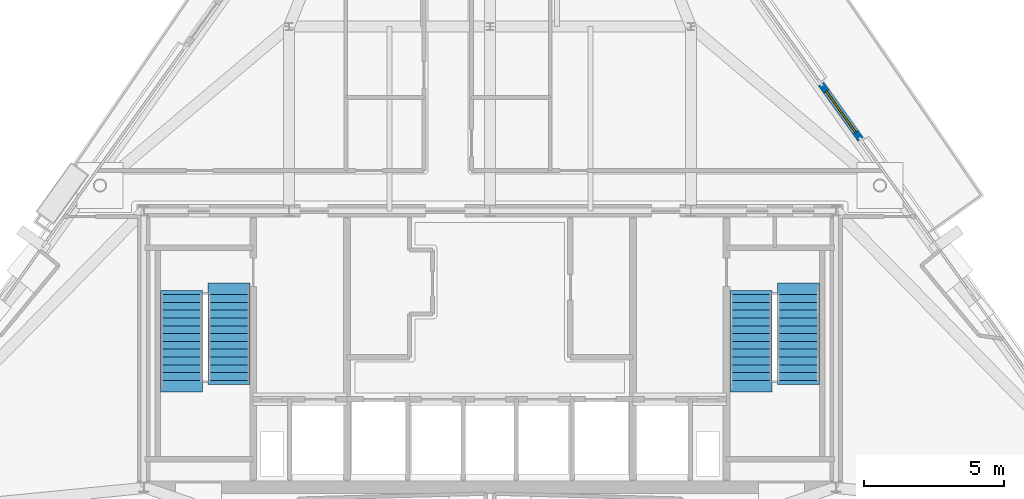
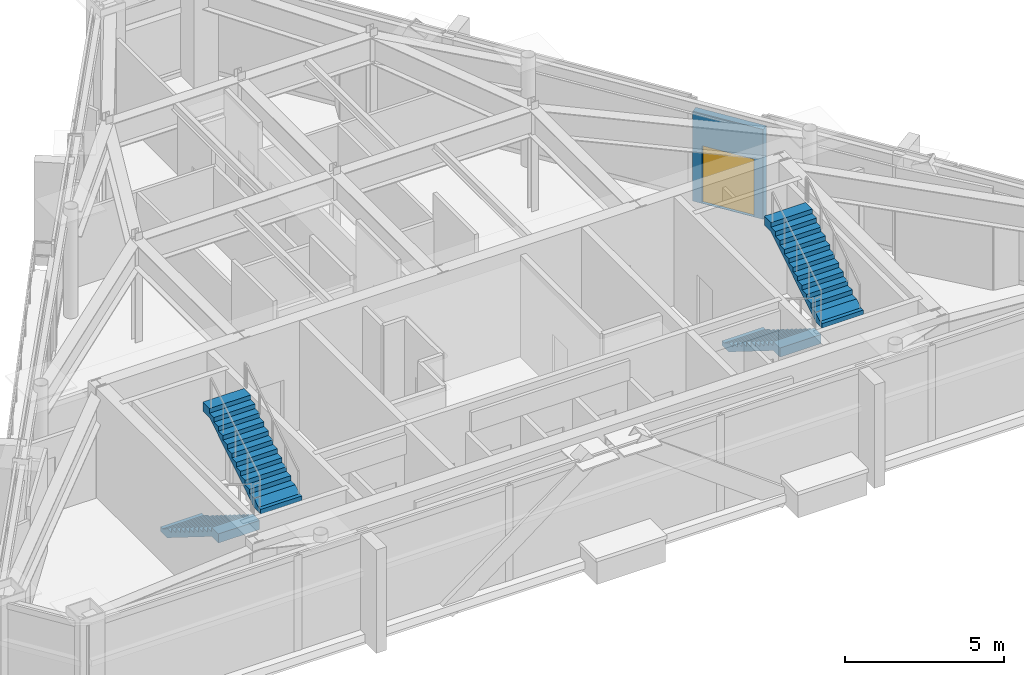
# One storey, part 8 of 10: 4 stair flights, 1 door, 1 wall, 1 opening, 2 elements without a shape of their own.
"""IFC4 building model written with IfcOpenShell, lengths in metres."""

from ifc_helpers import new_model, si_unit, direction, frame, frame_2d, origin, place, context, subcontext, project, spatial, polyline, rectangle, outline, extrude, material, layer, layer_set, type_object, element, fill, aggregate, save


model = new_model("IFC4")

# Units and contexts
model_context = context("Model", 3, precision=1e-05, world=origin(), true_north=direction((0.0, 1.0)))
body_context = subcontext(model_context, "Body", "Model", "MODEL_VIEW")
ifc_project = project(units=[si_unit("LENGTHUNIT", "METRE"), si_unit("AREAUNIT", "SQUARE_METRE"), si_unit("VOLUMEUNIT", "CUBIC_METRE"), si_unit("PLANEANGLEUNIT", "RADIAN"), si_unit("MASSUNIT", "GRAM", prefix="KILO")], contexts=[model_context])

# Site, building, storey
site_placement = place(None, origin())
site = spatial("IfcSite", under=ifc_project, at=site_placement, CompositionType="ELEMENT")
building_placement = place(site_placement, origin())
building = spatial("IfcBuilding", under=site, at=building_placement, Name="Talgorran Terracotta Tower", CompositionType="ELEMENT")
storey_placement = place(building_placement, frame((0.0, 0.0, 289.199951171875)))
storey = spatial("IfcBuildingStorey", under=building, at=storey_placement, Name="L76", CompositionType="ELEMENT", Elevation=289.199951171875)

# Wall, opening, door
ifc_material_1 = material(Name="Concrete C40/50", Category="concrete")
ifc_layer_1 = layer(ifc_material_1, 0.239990234375, Name="WT_BALCONY_SPAND")
ifc_layer_set_1 = layer_set([ifc_layer_1], Name="Concrete C40/50")
wall_type = type_object("IfcWallType", Name="WT_BALCONY_SPAND", PredefinedType="STANDARD", material=ifc_layer_set_1)
wall_placement = place(storey_placement, frame((13.28369140625, -1.641845703125, -0.014892578125), z_axis=(0.0, 0.0, 1.0), x_axis=(-0.581266589652, 0.813713187649, 0.0)))
wall = element("IfcWall", 1, at=wall_placement, inside=storey, type_object=wall_type, Name="WL-L76-BALP-BAL-NE", PredefinedType="STANDARD", context=body_context, shape_type="SweptSolid", body=[
    extrude(rectangle(XDim=2.43994140625, YDim=0.239990234375, at=frame_2d((1.219970703125, 0.0))), origin(), (0.0, 0.0, 1.0), 3.452880859375),
])
opening_placement = place(wall_placement, frame((0.320068359375, 0.0, 0.014892578125)))
opening = element("IfcOpeningElement", 2, at=opening_placement, cuts=wall, Name="Opening D-BAL-L76-1", PredefinedType="OPENING", context=body_context, shape_type="SweptSolid", body=[
    extrude(rectangle(XDim=1.806048828125, YDim=2.203951171875, at=frame_2d((0.89990234375, 1.10205078125))), frame((0.0, 0.1298828125, 0.0), z_axis=(0.0, -1.0, 0.0), x_axis=(1.0, 0.0, 0.0)), (0.0, 0.0, 1.0), 0.260009765625),
])
ifc_material_2 = material(Name="Thermally Broken Aluminium", Category="aluminium")
door_type = type_object("IfcDoorType", Name="DT_BALC_1800", OperationType="SLIDING_TO_LEFT", PredefinedType="DOOR", material=ifc_material_2)
door_placement = place(opening_placement, origin())
door = element("IfcDoor", 3, at=door_placement, inside=storey, type_object=door_type, Name="DR-L76-BAL-BAL-NE", OperationType="SLIDING_TO_LEFT", OverallHeight=2.199951171875, OverallWidth=1.800048828125, PredefinedType="DOOR", context=body_context, shape_type="SweptSolid", body=[
    extrude(rectangle(XDim=1.800048828125, YDim=2.199951171875, at=frame_2d((0.89990234375, 1.10009765625))), frame((0.0, 0.02490234375, 0.0), z_axis=(0.0, -1.0, 0.0), x_axis=(1.0, 0.0, 0.0)), (0.0, 0.0, 1.0), 0.050048828125),
])
fill(opening, door)

# Stair, stair flights
stair_type = type_object("IfcStairType", Name="ST_FIRE_SCISSOR", PredefinedType="HALF_TURN_STAIR", material=ifc_material_1)
stair_1_placement = place(storey_placement, origin())
stair_1 = element("IfcStair", 4, at=stair_1_placement, inside=storey, type_object=stair_type, Name="L76 West Protected Fire Stair ST-01", PredefinedType="HALF_TURN_STAIR")
ifc_layer_2 = layer(ifc_material_1, 0.179931640625, Name="STF_RC_1500")
ifc_layer_set_2 = layer_set([ifc_layer_2], Name="Concrete C40/50")
stair_flight_type = type_object("IfcStairFlightType", Name="STF_RC_1500", PredefinedType="STRAIGHT", material=ifc_layer_set_2)
stair_flight_1_placement = place(storey_placement, frame((-11.050048828125, -7.199951171875, 0.0), z_axis=(0.0, 0.0, 1.0), x_axis=(0.0, -1.0, 0.0)))
stair_flight_1 = element("IfcStairFlight", 5, at=stair_flight_1_placement, type_object=stair_flight_type, Name="ST-01 flight 1", NumberOfRisers=12, NumberOfTreads=11, PredefinedType="STRAIGHT", RiserHeight=0.175, TreadLength=0.28, context=body_context, shape_type="SweptSolid", body=[
    extrude(outline(polyline([(-0.139892578125, 0.0), (-0.139892578125, 0.175048828125), (0.0, 0.175048828125), (0.280029296875, 0.35009765625), (0.56005859375, 0.35009765625), (0.56005859375, 0.52490234375), (0.840087890625, 0.52490234375), (0.840087890625, 0.699951171875), (1.1201171875, 0.699951171875), (1.1201171875, 0.875), (1.39990234375, 0.875), (1.39990234375, 1.050048828125), (1.679931640625, 1.050048828125), (1.679931640625, 1.22509765625), (1.9599609375, 1.22509765625), (1.9599609375, 1.39990234375), (2.239990234375, 1.39990234375), (2.239990234375, 1.574951171875), (2.52001953125, 1.574951171875), (2.52001953125, 1.75), (2.800048828125, 1.75), (2.800048828125, 1.925048828125), (3.080078125, 1.925048828125), (3.080078125, 2.10009765625), (3.5, 2.10009765625), (3.5, 1.748291015625), (3.080078125, 1.748291015625), (0.28271484375, 0.0), (-0.139892578125, 0.0)])), frame((0.0, 0.75, 0.0), z_axis=(0.0, -1.0, 0.0), x_axis=(1.0, 0.0, 0.0)), (0.0, 0.0, 1.0), 1.5),
])
stair_flight_2_placement = place(storey_placement, frame((-9.35009765625, -10.280029296875, 2.10009765625), z_axis=(0.0, 0.0, 1.0), x_axis=(0.0, 1.0, 0.0)))
stair_flight_2 = element("IfcStairFlight", 6, at=stair_flight_2_placement, type_object=stair_flight_type, Name="ST-01 flight 2", NumberOfRisers=12, NumberOfTreads=11, PredefinedType="STRAIGHT", RiserHeight=0.175, TreadLength=0.28, context=body_context, shape_type="SweptSolid", body=[
    extrude(outline(polyline([(-0.139892578125, 0.0), (-0.139892578125, 0.175048828125), (0.0, 0.175048828125), (0.280029296875, 0.35009765625), (0.56005859375, 0.35009765625), (0.56005859375, 0.52490234375), (0.840087890625, 0.52490234375), (0.840087890625, 0.699951171875), (1.1201171875, 0.699951171875), (1.1201171875, 0.875), (1.39990234375, 0.875), (1.39990234375, 1.050048828125), (1.679931640625, 1.050048828125), (1.679931640625, 1.22509765625), (1.9599609375, 1.22509765625), (1.9599609375, 1.39990234375), (2.239990234375, 1.39990234375), (2.239990234375, 1.574951171875), (2.52001953125, 1.574951171875), (2.52001953125, 1.75), (2.800048828125, 1.75), (2.800048828125, 1.925048828125), (3.080078125, 1.925048828125), (3.080078125, 2.10009765625), (3.5, 2.10009765625), (3.5, 1.748291015625), (3.080078125, 1.748291015625), (0.28271484375, 0.0), (-0.139892578125, 0.0)])), frame((0.0, 0.75, 0.0), z_axis=(0.0, -1.0, 0.0), x_axis=(1.0, 0.0, 0.0)), (0.0, 0.0, 1.0), 1.5),
])
aggregate(stair_1, [stair_flight_1, stair_flight_2])

stair_2_placement = place(storey_placement, origin())
stair_2 = element("IfcStair", 7, at=stair_2_placement, inside=storey, type_object=stair_type, Name="L76 East Protected Fire Stair ST-02", PredefinedType="HALF_TURN_STAIR")
stair_flight_3_placement = place(storey_placement, frame((9.35009765625, -7.199951171875, 0.0), z_axis=(0.0, 0.0, 1.0), x_axis=(0.0, -1.0, 0.0)))
stair_flight_3 = element("IfcStairFlight", 8, at=stair_flight_3_placement, type_object=stair_flight_type, Name="ST-02 flight 1", NumberOfRisers=12, NumberOfTreads=11, PredefinedType="STRAIGHT", RiserHeight=0.175, TreadLength=0.28, context=body_context, shape_type="SweptSolid", body=[
    extrude(outline(polyline([(-0.139892578125, 0.0), (-0.139892578125, 0.175048828125), (0.0, 0.175048828125), (0.280029296875, 0.35009765625), (0.56005859375, 0.35009765625), (0.56005859375, 0.52490234375), (0.840087890625, 0.52490234375), (0.840087890625, 0.699951171875), (1.1201171875, 0.699951171875), (1.1201171875, 0.875), (1.39990234375, 0.875), (1.39990234375, 1.050048828125), (1.679931640625, 1.050048828125), (1.679931640625, 1.22509765625), (1.9599609375, 1.22509765625), (1.9599609375, 1.39990234375), (2.239990234375, 1.39990234375), (2.239990234375, 1.574951171875), (2.52001953125, 1.574951171875), (2.52001953125, 1.75), (2.800048828125, 1.75), (2.800048828125, 1.925048828125), (3.080078125, 1.925048828125), (3.080078125, 2.10009765625), (3.5, 2.10009765625), (3.5, 1.748291015625), (3.080078125, 1.748291015625), (0.28271484375, 0.0), (-0.139892578125, 0.0)])), frame((0.0, 0.75, 0.0), z_axis=(0.0, -1.0, 0.0), x_axis=(1.0, 0.0, 0.0)), (0.0, 0.0, 1.0), 1.5),
])
stair_flight_4_placement = place(storey_placement, frame((11.050048828125, -10.280029296875, 2.10009765625), z_axis=(0.0, 0.0, 1.0), x_axis=(0.0, 1.0, 0.0)))
stair_flight_4 = element("IfcStairFlight", 9, at=stair_flight_4_placement, type_object=stair_flight_type, Name="ST-02 flight 2", NumberOfRisers=12, NumberOfTreads=11, PredefinedType="STRAIGHT", RiserHeight=0.175, TreadLength=0.28, context=body_context, shape_type="SweptSolid", body=[
    extrude(outline(polyline([(-0.139892578125, 0.0), (-0.139892578125, 0.175048828125), (0.0, 0.175048828125), (0.280029296875, 0.35009765625), (0.56005859375, 0.35009765625), (0.56005859375, 0.52490234375), (0.840087890625, 0.52490234375), (0.840087890625, 0.699951171875), (1.1201171875, 0.699951171875), (1.1201171875, 0.875), (1.39990234375, 0.875), (1.39990234375, 1.050048828125), (1.679931640625, 1.050048828125), (1.679931640625, 1.22509765625), (1.9599609375, 1.22509765625), (1.9599609375, 1.39990234375), (2.239990234375, 1.39990234375), (2.239990234375, 1.574951171875), (2.52001953125, 1.574951171875), (2.52001953125, 1.75), (2.800048828125, 1.75), (2.800048828125, 1.925048828125), (3.080078125, 1.925048828125), (3.080078125, 2.10009765625), (3.5, 2.10009765625), (3.5, 1.748291015625), (3.080078125, 1.748291015625), (0.28271484375, 0.0), (-0.139892578125, 0.0)])), frame((0.0, 0.75, 0.0), z_axis=(0.0, -1.0, 0.0), x_axis=(1.0, 0.0, 0.0)), (0.0, 0.0, 1.0), 1.5),
])
aggregate(stair_2, [stair_flight_3, stair_flight_4])

save(model, "model.ifc")
